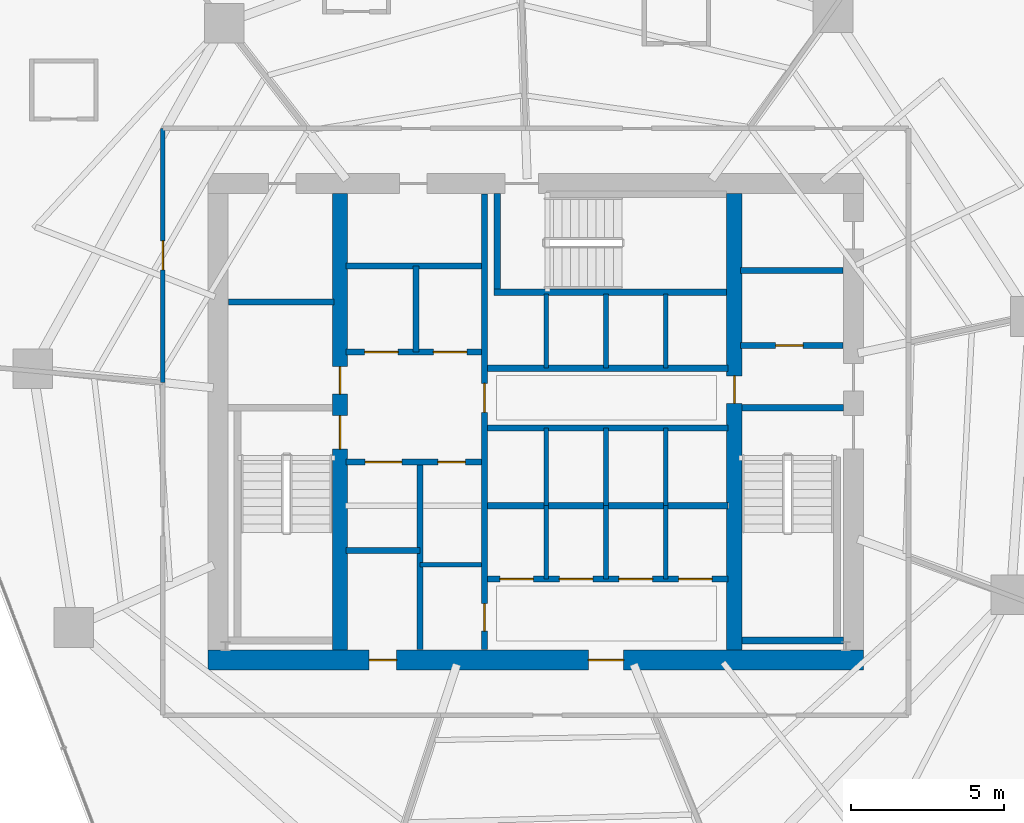
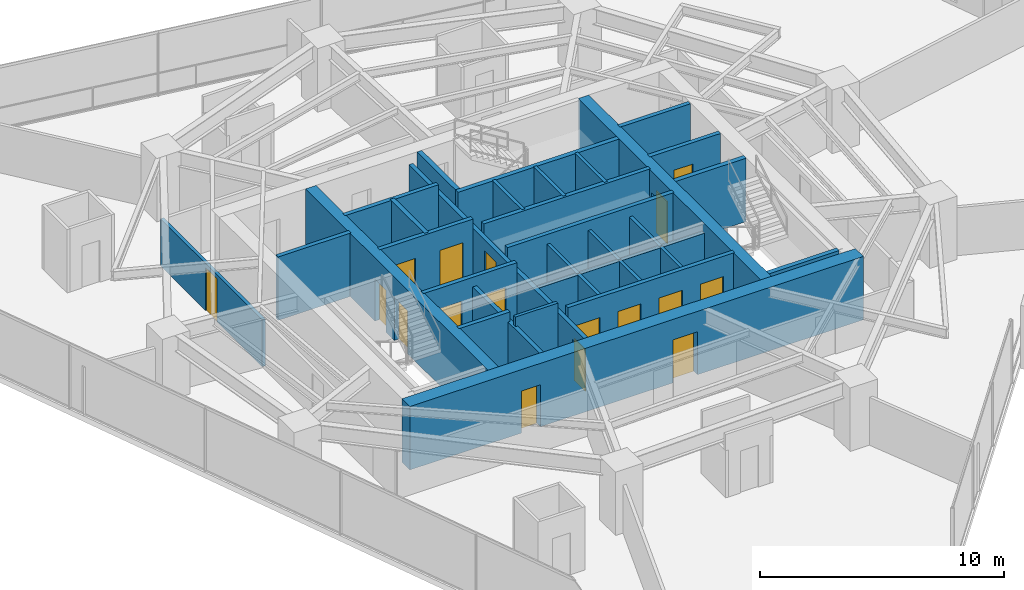
# One storey, part 25 of 31: 32 walls, 17 doors, 17 openings.
"""IFC4 building model written with IfcOpenShell, lengths in metres."""

from ifc_helpers import new_model, si_unit, direction, frame, frame_2d, origin, place, context, subcontext, project, spatial, rectangle, extrude, material, layer, layer_set, type_object, element, fill, save


model = new_model("IFC4")

# Units and contexts
model_context = context("Model", 3, precision=1e-05, world=origin(), true_north=direction((0.0, 1.0)))
body_context = subcontext(model_context, "Body", "Model", "MODEL_VIEW")
ifc_project = project(units=[si_unit("LENGTHUNIT", "METRE"), si_unit("AREAUNIT", "SQUARE_METRE"), si_unit("VOLUMEUNIT", "CUBIC_METRE"), si_unit("PLANEANGLEUNIT", "RADIAN"), si_unit("MASSUNIT", "GRAM", prefix="KILO")], contexts=[model_context])

# Site, building, storey
site_placement = place(None, origin())
site = spatial("IfcSite", under=ifc_project, at=site_placement, CompositionType="ELEMENT")
building_placement = place(site_placement, origin())
building = spatial("IfcBuilding", under=site, at=building_placement, Name="Qarnah Convention Tower", CompositionType="ELEMENT")
storey_placement = place(building_placement, frame((0.0, 0.0, 33.89990234375)))
storey = spatial("IfcBuildingStorey", under=building, at=storey_placement, Name="L07", CompositionType="ELEMENT", Elevation=33.89990234375)

# Wall, openings, doors
ifc_material_1 = material(Name="Concrete C60/75", Category="concrete")
ifc_layer_1 = layer(ifc_material_1, 0.64990234375)
ifc_layer_set_1 = layer_set([ifc_layer_1], Name="Concrete C60/75")
wall_type_1 = type_object("IfcWallType", Name="WL-CORE-650", PredefinedType="SHEAR", material=ifc_layer_set_1)
wall_1_placement = place(storey_placement, frame((26.47509765625, 18.60009765625, 0.0), z_axis=(0.0, 0.0, 1.0), x_axis=(1.0, 0.0, 0.0)))
wall_1 = element("IfcWall", 1, at=wall_1_placement, inside=storey, type_object=wall_type_1, Name="L07 core south shear wall", PredefinedType="SHEAR", context=body_context, shape_type="SweptSolid", body=[
    extrude(rectangle(XDim=21.449951171875, YDim=0.64990234375, at=frame_2d((10.72509765625, 0.0))), origin(), (0.0, 0.0, 1.0), 3.170166015625),
])
opening_1_placement = place(wall_1_placement, frame((12.449951171875, 0.0, 0.0)))
opening_1 = element("IfcOpeningElement", 2, at=opening_1_placement, cuts=wall_1, Name="Opening D-0707", PredefinedType="OPENING", context=body_context, shape_type="SweptSolid", body=[
    extrude(rectangle(XDim=1.14990234375, YDim=2.14990234375, at=frame_2d((0.574951171875, 1.074951171875))), frame((0.0, 0.3349609375, 0.0), z_axis=(0.0, -1.0, 0.0), x_axis=(1.0, 0.0, 0.0)), (0.0, 0.0, 1.0), 0.669921875),
])
opening_2_placement = place(wall_1_placement, frame((5.27490234375, 0.0, 0.0)))
opening_2 = element("IfcOpeningElement", 3, at=opening_2_placement, cuts=wall_1, Name="Opening D-0713", PredefinedType="OPENING", context=body_context, shape_type="SweptSolid", body=[
    extrude(rectangle(XDim=0.89990234375, YDim=2.10009765625, at=frame_2d((0.449951171875, 1.050048828125))), frame((0.0, 0.3349609375, 0.0), z_axis=(0.0, -1.0, 0.0), x_axis=(1.0, 0.0, 0.0)), (0.0, 0.0, 1.0), 0.669921875),
])
ifc_material_2 = material(Name="Structural steel S355JR", Category="steel")
door_type_1 = type_object("IfcDoorType", Name="DT-LOBBY-1150", OperationType="NOTDEFINED", PredefinedType="DOOR", material=ifc_material_2)
door_1_placement = place(opening_1_placement, origin())
door_1 = element("IfcDoor", 4, at=door_1_placement, inside=storey, type_object=door_type_1, Name="Door D-0707", OperationType="SINGLE_SWING_LEFT", OverallHeight=2.14990234375, OverallWidth=1.14990234375, PredefinedType="DOOR", context=body_context, shape_type="SweptSolid", body=[
    extrude(rectangle(XDim=1.14990234375, YDim=2.14990234375, at=frame_2d((0.574951171875, 1.074951171875))), frame((0.0, 0.02490234375, 0.0), z_axis=(0.0, -1.0, 0.0), x_axis=(1.0, 0.0, 0.0)), (0.0, 0.0, 1.0), 0.050048828125),
])
fill(opening_1, door_1)
door_type_2 = type_object("IfcDoorType", Name="DT-RISER-900", OperationType="NOTDEFINED", PredefinedType="DOOR", material=ifc_material_2)
door_2_placement = place(opening_2_placement, origin())
door_2 = element("IfcDoor", 5, at=door_2_placement, inside=storey, type_object=door_type_2, Name="Door D-0713", OperationType="SINGLE_SWING_LEFT", OverallHeight=2.10009765625, OverallWidth=0.89990234375, PredefinedType="DOOR", context=body_context, shape_type="SweptSolid", body=[
    extrude(rectangle(XDim=0.89990234375, YDim=2.10009765625, at=frame_2d((0.449951171875, 1.050048828125))), frame((0.0, 0.02490234375, 0.0), z_axis=(0.0, -1.0, 0.0), x_axis=(1.0, 0.0, 0.0)), (0.0, 0.0, 1.0), 0.050048828125),
])
fill(opening_2, door_2)

ifc_layer_2 = layer(ifc_material_1, 0.5)
ifc_layer_set_2 = layer_set([ifc_layer_2], Name="Concrete C60/75")
wall_type_2 = type_object("IfcWallType", Name="WL-CORE-INT-400", PredefinedType="SHEAR", material=ifc_layer_set_2)
wall_2_placement = place(storey_placement, frame((30.800048828125, 18.925048828125, 0.0), z_axis=(0.0, 0.0, 1.0), x_axis=(0.0, 1.0, 0.0)))
wall_2 = element("IfcWall", 6, at=wall_2_placement, inside=storey, type_object=wall_type_2, Name="L07 core west spine shear wall", PredefinedType="SHEAR", context=body_context, shape_type="SweptSolid", body=[
    extrude(rectangle(XDim=14.949951171875, YDim=0.5, at=frame_2d((7.47509765625, 0.0))), origin(), (0.0, 0.0, 1.0), 3.170166015625),
])
opening_3_placement = place(wall_2_placement, frame((6.574951171875, 0.0, 0.0)))
opening_3 = element("IfcOpeningElement", 7, at=opening_3_placement, cuts=wall_2, Name="Opening D-0701", PredefinedType="OPENING", context=body_context, shape_type="SweptSolid", body=[
    extrude(rectangle(XDim=1.10009765625, YDim=2.14990234375, at=frame_2d((0.550048828125, 1.074951171875))), frame((0.0, 0.260009765625, 0.0), z_axis=(0.0, -1.0, 0.0), x_axis=(1.0, 0.0, 0.0)), (0.0, 0.0, 1.0), 0.52001953125),
])
opening_4_placement = place(wall_2_placement, frame((8.375, 0.0, 0.0)))
opening_4 = element("IfcOpeningElement", 8, at=opening_4_placement, cuts=wall_2, Name="Opening D-0708", PredefinedType="OPENING", context=body_context, shape_type="SweptSolid", body=[
    extrude(rectangle(XDim=0.89990234375, YDim=2.10009765625, at=frame_2d((0.449951171875, 1.050048828125))), frame((0.0, 0.260009765625, 0.0), z_axis=(0.0, -1.0, 0.0), x_axis=(1.0, 0.0, 0.0)), (0.0, 0.0, 1.0), 0.52001953125),
])
door_3_placement = place(opening_4_placement, origin())
door_3 = element("IfcDoor", 9, at=door_3_placement, inside=storey, type_object=door_type_2, Name="Door D-0708", OperationType="SINGLE_SWING_RIGHT", OverallHeight=2.10009765625, OverallWidth=0.89990234375, PredefinedType="DOOR", context=body_context, shape_type="SweptSolid", body=[
    extrude(rectangle(XDim=0.89990234375, YDim=2.10009765625, at=frame_2d((0.449951171875, 1.050048828125))), frame((0.0, 0.02490234375, 0.0), z_axis=(0.0, -1.0, 0.0), x_axis=(1.0, 0.0, 0.0)), (0.0, 0.0, 1.0), 0.050048828125),
])
fill(opening_4, door_3)
door_type_3 = type_object("IfcDoorType", Name="DT-STAIR-1100", OperationType="NOTDEFINED", PredefinedType="DOOR", material=ifc_material_2)
door_4_placement = place(opening_3_placement, origin())
door_4 = element("IfcDoor", 10, at=door_4_placement, inside=storey, type_object=door_type_3, Name="Door D-0701", OperationType="SINGLE_SWING_LEFT", OverallHeight=2.14990234375, OverallWidth=1.10009765625, PredefinedType="DOOR", context=body_context, shape_type="SweptSolid", body=[
    extrude(rectangle(XDim=1.10009765625, YDim=2.14990234375, at=frame_2d((0.550048828125, 1.074951171875))), frame((0.0, 0.02490234375, 0.0), z_axis=(0.0, -1.0, 0.0), x_axis=(1.0, 0.0, 0.0)), (0.0, 0.0, 1.0), 0.050048828125),
])
fill(opening_3, door_4)

# Wall, opening, door
wall_3_placement = place(storey_placement, frame((43.699951171875, 18.925048828125, 0.0), z_axis=(0.0, 0.0, 1.0), x_axis=(0.0, 1.0, 0.0)))
wall_3 = element("IfcWall", 11, at=wall_3_placement, inside=storey, type_object=wall_type_2, Name="L07 core east spine shear wall", PredefinedType="SHEAR", context=body_context, shape_type="SweptSolid", body=[
    extrude(rectangle(XDim=14.949951171875, YDim=0.5, at=frame_2d((7.47509765625, 0.0))), origin(), (0.0, 0.0, 1.0), 3.170166015625),
])
opening_5_placement = place(wall_3_placement, frame((8.074951171875, 0.0, 0.0)))
opening_5 = element("IfcOpeningElement", 12, at=opening_5_placement, cuts=wall_3, Name="Opening D-0705", PredefinedType="OPENING", context=body_context, shape_type="SweptSolid", body=[
    extrude(rectangle(XDim=0.89990234375, YDim=2.10009765625, at=frame_2d((0.449951171875, 1.050048828125))), frame((0.0, 0.260009765625, 0.0), z_axis=(0.0, -1.0, 0.0), x_axis=(1.0, 0.0, 0.0)), (0.0, 0.0, 1.0), 0.52001953125),
])
door_5_placement = place(opening_5_placement, origin())
door_5 = element("IfcDoor", 13, at=door_5_placement, inside=storey, type_object=door_type_2, Name="Door D-0705", OperationType="SINGLE_SWING_LEFT", OverallHeight=2.10009765625, OverallWidth=0.89990234375, PredefinedType="DOOR", context=body_context, shape_type="SweptSolid", body=[
    extrude(rectangle(XDim=0.89990234375, YDim=2.10009765625, at=frame_2d((0.449951171875, 1.050048828125))), frame((0.0, 0.02490234375, 0.0), z_axis=(0.0, -1.0, 0.0), x_axis=(1.0, 0.0, 0.0)), (0.0, 0.0, 1.0), 0.050048828125),
])
fill(opening_5, door_5)

# Wall
ifc_material_3 = material(Name="Concrete C45/55", Category="concrete")
ifc_layer_3 = layer(ifc_material_3, 0.199951171875)
ifc_layer_set_3 = layer_set([ifc_layer_3], Name="Concrete C45/55")
wall_type_3 = type_object("IfcWallType", Name="WL-CORE-PART-200", PredefinedType="SOLIDWALL", material=ifc_layer_set_3)
wall_4_placement = place(storey_placement, frame((27.14990234375, 30.320068359375, 0.0), z_axis=(0.0, 0.0, 1.0), x_axis=(1.0, 0.0, 0.0)))
element("IfcWall", 14, at=wall_4_placement, inside=storey, type_object=wall_type_3, Name="L07 interior wall IW-L07-ELRN", PredefinedType="SOLIDWALL", context=body_context, shape_type="SweptSolid", body=[
    extrude(rectangle(XDim=3.4501953125, YDim=0.199951171875, at=frame_2d((1.72509765625, 0.0))), origin(), (0.0, 0.0, 1.0), 3.170166015625),
])

# Wall, opening, door
wall_5_placement = place(storey_placement, frame((43.89990234375, 28.89990234375, 0.0), z_axis=(0.0, 0.0, 1.0), x_axis=(1.0, 0.0, 0.0)))
wall_5 = element("IfcWall", 15, at=wall_5_placement, inside=storey, type_object=wall_type_3, Name="L07 interior wall IW-L07-EVSTN", PredefinedType="SOLIDWALL", context=body_context, shape_type="SweptSolid", body=[
    extrude(rectangle(XDim=3.35009765625, YDim=0.199951171875, at=frame_2d((1.675048828125, 0.0))), origin(), (0.0, 0.0, 1.0), 3.170166015625),
])
opening_6_placement = place(wall_5_placement, frame((1.14990234375, 0.0, 0.0)))
opening_6 = element("IfcOpeningElement", 16, at=opening_6_placement, cuts=wall_5, Name="Opening D-0711", PredefinedType="OPENING", context=body_context, shape_type="SweptSolid", body=[
    extrude(rectangle(XDim=0.89990234375, YDim=2.10009765625, at=frame_2d((0.449951171875, 1.050048828125))), frame((0.0, 0.10986328125, 0.0), z_axis=(0.0, -1.0, 0.0), x_axis=(1.0, 0.0, 0.0)), (0.0, 0.0, 1.0), 0.219970703125),
])
door_6_placement = place(opening_6_placement, origin())
door_6 = element("IfcDoor", 17, at=door_6_placement, inside=storey, type_object=door_type_2, Name="Door D-0711", OperationType="SINGLE_SWING_LEFT", OverallHeight=2.10009765625, OverallWidth=0.89990234375, PredefinedType="DOOR", context=body_context, shape_type="SweptSolid", body=[
    extrude(rectangle(XDim=0.89990234375, YDim=2.10009765625, at=frame_2d((0.449951171875, 1.050048828125))), frame((0.0, 0.02490234375, 0.0), z_axis=(0.0, -1.0, 0.0), x_axis=(1.0, 0.0, 0.0)), (0.0, 0.0, 1.0), 0.050048828125),
])
fill(opening_6, door_6)

# Wall
wall_6_placement = place(storey_placement, frame((43.89990234375, 31.35009765625, 0.0), z_axis=(0.0, 0.0, 1.0), x_axis=(1.0, 0.0, 0.0)))
element("IfcWall", 18, at=wall_6_placement, inside=storey, type_object=wall_type_3, Name="L07 interior wall IW-L07-WTRN", PredefinedType="SOLIDWALL", context=body_context, shape_type="SweptSolid", body=[
    extrude(rectangle(XDim=3.35009765625, YDim=0.199951171875, at=frame_2d((1.675048828125, 0.0))), origin(), (0.0, 0.0, 1.0), 3.170166015625),
])

# Wall, openings, doors
wall_7_placement = place(storey_placement, frame((35.52001953125, 18.949951171875, 0.0), z_axis=(0.0, 0.0, 1.0), x_axis=(0.0, 1.0, 0.0)))
wall_7 = element("IfcWall", 19, at=wall_7_placement, inside=storey, type_object=wall_type_3, Name="L07 interior wall IW-L07-CSP", PredefinedType="SOLIDWALL", context=body_context, shape_type="SweptSolid", body=[
    extrude(rectangle(XDim=14.900146484375, YDim=0.199951171875, at=frame_2d((7.4501953125, 0.0))), origin(), (0.0, 0.0, 1.0), 2.691162109375),
])
opening_7_placement = place(wall_7_placement, frame((7.7548828125, 0.0, 0.0)))
opening_7 = element("IfcOpeningElement", 20, at=opening_7_placement, cuts=wall_7, Name="Opening D-0704", PredefinedType="OPENING", context=body_context, shape_type="SweptSolid", body=[
    extrude(rectangle(XDim=0.949951171875, YDim=2.14990234375, at=frame_2d((0.47509765625, 1.074951171875))), frame((0.0, 0.10986328125, 0.0), z_axis=(0.0, -1.0, 0.0), x_axis=(1.0, 0.0, 0.0)), (0.0, 0.0, 1.0), 0.219970703125),
])
opening_8_placement = place(wall_7_placement, frame((0.60009765625, 0.0, 0.0)))
opening_8 = element("IfcOpeningElement", 21, at=opening_8_placement, cuts=wall_7, Name="Opening D-0714", PredefinedType="OPENING", context=body_context, shape_type="SweptSolid", body=[
    extrude(rectangle(XDim=0.89990234375, YDim=2.10009765625, at=frame_2d((0.449951171875, 1.050048828125))), frame((0.0, 0.10986328125, 0.0), z_axis=(0.0, -1.0, 0.0), x_axis=(1.0, 0.0, 0.0)), (0.0, 0.0, 1.0), 0.219970703125),
])
ifc_material_4 = material(Name="Oak timber veneer", Category="wood")
door_type_4 = type_object("IfcDoorType", Name="DT-HOTEL-950", OperationType="NOTDEFINED", PredefinedType="DOOR", material=ifc_material_4)
door_7_placement = place(opening_7_placement, origin())
door_7 = element("IfcDoor", 22, at=door_7_placement, inside=storey, type_object=door_type_4, Name="Door D-0704", OperationType="SINGLE_SWING_RIGHT", OverallHeight=2.14990234375, OverallWidth=0.949951171875, PredefinedType="DOOR", context=body_context, shape_type="SweptSolid", body=[
    extrude(rectangle(XDim=0.949951171875, YDim=2.14990234375, at=frame_2d((0.47509765625, 1.074951171875))), frame((0.0, 0.02490234375, 0.0), z_axis=(0.0, -1.0, 0.0), x_axis=(1.0, 0.0, 0.0)), (0.0, 0.0, 1.0), 0.050048828125),
])
fill(opening_7, door_7)
door_8_placement = place(opening_8_placement, origin())
door_8 = element("IfcDoor", 23, at=door_8_placement, inside=storey, type_object=door_type_2, Name="Door D-0714", OperationType="SINGLE_SWING_RIGHT", OverallHeight=2.10009765625, OverallWidth=0.89990234375, PredefinedType="DOOR", context=body_context, shape_type="SweptSolid", body=[
    extrude(rectangle(XDim=0.89990234375, YDim=2.10009765625, at=frame_2d((0.449951171875, 1.050048828125))), frame((0.0, 0.02490234375, 0.0), z_axis=(0.0, -1.0, 0.0), x_axis=(1.0, 0.0, 0.0)), (0.0, 0.0, 1.0), 0.050048828125),
])
fill(opening_8, door_8)

wall_8_placement = place(storey_placement, frame((31.0, 28.679931640625, 0.0), z_axis=(0.0, 0.0, 1.0), x_axis=(1.0, 0.0, 0.0)))
wall_8 = element("IfcWall", 24, at=wall_8_placement, inside=storey, type_object=wall_type_3, Name="L07 interior wall IW-L07-FFLS", PredefinedType="SOLIDWALL", context=body_context, shape_type="SweptSolid", body=[
    extrude(rectangle(XDim=4.419921875, YDim=0.199951171875, at=frame_2d((2.2099609375, 0.0))), origin(), (0.0, 0.0, 1.0), 3.170166015625),
])
opening_9_placement = place(wall_8_placement, frame((0.60009765625, 0.0, 0.0)))
opening_9 = element("IfcOpeningElement", 25, at=opening_9_placement, cuts=wall_8, Name="Opening LD-0701", PredefinedType="OPENING", context=body_context, shape_type="SweptSolid", body=[
    extrude(rectangle(XDim=1.10009765625, YDim=2.14990234375, at=frame_2d((0.550048828125, 1.074951171875))), frame((0.0, 0.10986328125, 0.0), z_axis=(0.0, -1.0, 0.0), x_axis=(1.0, 0.0, 0.0)), (0.0, 0.0, 1.0), 0.219970703125),
])
opening_10_placement = place(wall_8_placement, frame((2.85009765625, 0.0, 0.0)))
opening_10 = element("IfcOpeningElement", 26, at=opening_10_placement, cuts=wall_8, Name="Opening LD-0702", PredefinedType="OPENING", context=body_context, shape_type="SweptSolid", body=[
    extrude(rectangle(XDim=1.10009765625, YDim=2.14990234375, at=frame_2d((0.550048828125, 1.074951171875))), frame((0.0, 0.10986328125, 0.0), z_axis=(0.0, -1.0, 0.0), x_axis=(1.0, 0.0, 0.0)), (0.0, 0.0, 1.0), 0.219970703125),
])
door_type_5 = type_object("IfcDoorType", Name="DT-LIFT-1100", OperationType="SLIDING_TO_LEFT", PredefinedType="DOOR", material=ifc_material_2)
door_9_placement = place(opening_9_placement, origin())
door_9 = element("IfcDoor", 27, at=door_9_placement, inside=storey, type_object=door_type_5, Name="Door LD-0701", OperationType="SLIDING_TO_LEFT", OverallHeight=2.14990234375, OverallWidth=1.10009765625, PredefinedType="DOOR", context=body_context, shape_type="SweptSolid", body=[
    extrude(rectangle(XDim=1.10009765625, YDim=2.14990234375, at=frame_2d((0.550048828125, 1.074951171875))), frame((0.0, 0.02490234375, 0.0), z_axis=(0.0, -1.0, 0.0), x_axis=(1.0, 0.0, 0.0)), (0.0, 0.0, 1.0), 0.050048828125),
])
fill(opening_9, door_9)
door_10_placement = place(opening_10_placement, origin())
door_10 = element("IfcDoor", 28, at=door_10_placement, inside=storey, type_object=door_type_5, Name="Door LD-0702", OperationType="SLIDING_TO_LEFT", OverallHeight=2.14990234375, OverallWidth=1.10009765625, PredefinedType="DOOR", context=body_context, shape_type="SweptSolid", body=[
    extrude(rectangle(XDim=1.10009765625, YDim=2.14990234375, at=frame_2d((0.550048828125, 1.074951171875))), frame((0.0, 0.02490234375, 0.0), z_axis=(0.0, -1.0, 0.0), x_axis=(1.0, 0.0, 0.0)), (0.0, 0.0, 1.0), 0.050048828125),
])
fill(opening_10, door_10)

# Walls
wall_9_placement = place(storey_placement, frame((31.0, 31.5, 0.0), z_axis=(0.0, 0.0, 1.0), x_axis=(1.0, 0.0, 0.0)))
element("IfcWall", 29, at=wall_9_placement, inside=storey, type_object=wall_type_3, Name="L07 interior wall IW-L07-FFLN", PredefinedType="SOLIDWALL", context=body_context, shape_type="SweptSolid", body=[
    extrude(rectangle(XDim=4.419921875, YDim=0.199951171875, at=frame_2d((2.2099609375, 0.0))), origin(), (0.0, 0.0, 1.0), 3.170166015625),
])
wall_10_placement = place(storey_placement, frame((33.280029296875, 28.679931640625, 0.0), z_axis=(0.0, 0.0, 1.0), x_axis=(0.0, 1.0, 0.0)))
element("IfcWall", 30, at=wall_10_placement, inside=storey, type_object=wall_type_3, Name="L07 interior wall IW-L07-FFLM", PredefinedType="SOLIDWALL", context=body_context, shape_type="SweptSolid", body=[
    extrude(rectangle(XDim=2.820068359375, YDim=0.199951171875, at=frame_2d((1.41015625, 0.0))), origin(), (0.0, 0.0, 1.0), 3.170166015625),
])

# Wall, openings, doors
wall_11_placement = place(storey_placement, frame((31.0, 25.080078125, 0.0), z_axis=(0.0, 0.0, 1.0), x_axis=(1.0, 0.0, 0.0)))
wall_11 = element("IfcWall", 31, at=wall_11_placement, inside=storey, type_object=wall_type_3, Name="L07 interior wall IW-L07-FFLBS", PredefinedType="SOLIDWALL", context=body_context, shape_type="SweptSolid", body=[
    extrude(rectangle(XDim=4.419921875, YDim=0.199951171875, at=frame_2d((2.2099609375, 0.0))), origin(), (0.0, 0.0, 1.0), 3.170166015625),
])
opening_11_placement = place(wall_11_placement, frame((3.0, 0.0, 0.0)))
opening_11 = element("IfcOpeningElement", 32, at=opening_11_placement, cuts=wall_11, Name="Opening D-0715", PredefinedType="OPENING", context=body_context, shape_type="SweptSolid", body=[
    extrude(rectangle(XDim=0.89990234375, YDim=2.10009765625, at=frame_2d((0.449951171875, 1.050048828125))), frame((0.0, 0.10986328125, 0.0), z_axis=(0.0, -1.0, 0.0), x_axis=(1.0, 0.0, 0.0)), (0.0, 0.0, 1.0), 0.219970703125),
])
opening_12_placement = place(wall_11_placement, frame((0.6201171875, 0.0, 0.0)))
opening_12 = element("IfcOpeningElement", 33, at=opening_12_placement, cuts=wall_11, Name="Opening LD-0703", PredefinedType="OPENING", context=body_context, shape_type="SweptSolid", body=[
    extrude(rectangle(XDim=1.199951171875, YDim=2.14990234375, at=frame_2d((0.60009765625, 1.074951171875))), frame((0.0, 0.10986328125, 0.0), z_axis=(0.0, -1.0, 0.0), x_axis=(1.0, 0.0, 0.0)), (0.0, 0.0, 1.0), 0.219970703125),
])
door_type_6 = type_object("IfcDoorType", Name="DT-LIFT-1200", OperationType="SLIDING_TO_LEFT", PredefinedType="DOOR", material=ifc_material_2)
door_11_placement = place(opening_12_placement, origin())
door_11 = element("IfcDoor", 34, at=door_11_placement, inside=storey, type_object=door_type_6, Name="Door LD-0703", OperationType="SLIDING_TO_LEFT", OverallHeight=2.14990234375, OverallWidth=1.199951171875, PredefinedType="DOOR", context=body_context, shape_type="SweptSolid", body=[
    extrude(rectangle(XDim=1.199951171875, YDim=2.14990234375, at=frame_2d((0.60009765625, 1.074951171875))), frame((0.0, 0.02490234375, 0.0), z_axis=(0.0, -1.0, 0.0), x_axis=(1.0, 0.0, 0.0)), (0.0, 0.0, 1.0), 0.050048828125),
])
fill(opening_12, door_11)
door_12_placement = place(opening_11_placement, origin())
door_12 = element("IfcDoor", 35, at=door_12_placement, inside=storey, type_object=door_type_2, Name="Door D-0715", OperationType="SINGLE_SWING_LEFT", OverallHeight=2.10009765625, OverallWidth=0.89990234375, PredefinedType="DOOR", context=body_context, shape_type="SweptSolid", body=[
    extrude(rectangle(XDim=0.89990234375, YDim=2.10009765625, at=frame_2d((0.449951171875, 1.050048828125))), frame((0.0, 0.02490234375, 0.0), z_axis=(0.0, -1.0, 0.0), x_axis=(1.0, 0.0, 0.0)), (0.0, 0.0, 1.0), 0.050048828125),
])
fill(opening_11, door_12)

# Walls
wall_12_placement = place(storey_placement, frame((33.419921875, 18.949951171875, 0.0), z_axis=(0.0, 0.0, 1.0), x_axis=(0.0, 1.0, 0.0)))
element("IfcWall", 36, at=wall_12_placement, inside=storey, type_object=wall_type_3, Name="L07 interior wall IW-L07-SVLE", PredefinedType="SOLIDWALL", context=body_context, shape_type="SweptSolid", body=[
    extrude(rectangle(XDim=6.130126953125, YDim=0.199951171875, at=frame_2d((3.06494140625, 0.0))), origin(), (0.0, 0.0, 1.0), 2.691162109375),
])
wall_13_placement = place(storey_placement, frame((31.0, 22.179931640625, 0.0), z_axis=(0.0, 0.0, 1.0), x_axis=(1.0, 0.0, 0.0)))
element("IfcWall", 37, at=wall_13_placement, inside=storey, type_object=wall_type_3, Name="L07 interior wall IW-L07-SVLS", PredefinedType="SOLIDWALL", context=body_context, shape_type="SweptSolid", body=[
    extrude(rectangle(XDim=2.419921875, YDim=0.199951171875, at=frame_2d((1.2099609375, 0.0))), origin(), (0.0, 0.0, 1.0), 3.170166015625),
])
for number, where, z_axis, x_axis, name in (
    (38, (35.6201171875, 28.14990234375, 0.0), (0.0, 0.0, 1.0), (1.0, 0.0, 0.0), "L07 interior wall IW-L07-PHS"),
    (39, (35.6201171875, 26.199951171875, 0.0), (0.0, 0.0, 1.0), (1.0, 0.0, 0.0), "L07 interior wall IW-L07-PMN"),
):
    element("IfcWall", number, at=place(storey_placement, frame(where, z_axis=z_axis, x_axis=x_axis)), inside=storey, type_object=wall_type_3, Name=name, PredefinedType="SOLIDWALL", context=body_context, shape_type="SweptSolid", body=[
        extrude(rectangle(XDim=7.8798828125, YDim=0.199951171875, at=frame_2d((3.93994140625, 0.0))), origin(), (0.0, 0.0, 1.0), 3.170166015625),
    ])
wall_14_placement = place(storey_placement, frame((35.6201171875, 23.64990234375, 0.0), z_axis=(0.0, 0.0, 1.0), x_axis=(1.0, 0.0, 0.0)))
element("IfcWall", 40, at=wall_14_placement, inside=storey, type_object=wall_type_3, Name="L07 interior wall IW-L07-PMPL", PredefinedType="SOLIDWALL", context=body_context, shape_type="SweptSolid", body=[
    extrude(rectangle(XDim=7.8798828125, YDim=0.199951171875, at=frame_2d((3.93994140625, 0.0))), origin(), (0.0, 0.0, 1.0), 2.691162109375),
])

# Wall, openings, doors
wall_15_placement = place(storey_placement, frame((35.6201171875, 21.25, 0.0), z_axis=(0.0, 0.0, 1.0), x_axis=(1.0, 0.0, 0.0)))
wall_15 = element("IfcWall", 41, at=wall_15_placement, inside=storey, type_object=wall_type_3, Name="L07 interior wall IW-L07-PLS", PredefinedType="SOLIDWALL", context=body_context, shape_type="SweptSolid", body=[
    extrude(rectangle(XDim=7.8798828125, YDim=0.199951171875, at=frame_2d((3.93994140625, 0.0))), origin(), (0.0, 0.0, 1.0), 3.170166015625),
])
opening_13_placement = place(wall_15_placement, frame((0.405029296875, 0.0, 0.0)))
opening_13 = element("IfcOpeningElement", 42, at=opening_13_placement, cuts=wall_15, Name="Opening LD-0704", PredefinedType="OPENING", context=body_context, shape_type="SweptSolid", body=[
    extrude(rectangle(XDim=1.10009765625, YDim=2.14990234375, at=frame_2d((0.550048828125, 1.074951171875))), frame((0.0, 0.10986328125, 0.0), z_axis=(0.0, -1.0, 0.0), x_axis=(1.0, 0.0, 0.0)), (0.0, 0.0, 1.0), 0.219970703125),
])
opening_14_placement = place(wall_15_placement, frame((2.35498046875, 0.0, 0.0)))
opening_14 = element("IfcOpeningElement", 43, at=opening_14_placement, cuts=wall_15, Name="Opening LD-0705", PredefinedType="OPENING", context=body_context, shape_type="SweptSolid", body=[
    extrude(rectangle(XDim=1.10009765625, YDim=2.14990234375, at=frame_2d((0.550048828125, 1.074951171875))), frame((0.0, 0.10986328125, 0.0), z_axis=(0.0, -1.0, 0.0), x_axis=(1.0, 0.0, 0.0)), (0.0, 0.0, 1.0), 0.219970703125),
])
opening_15_placement = place(wall_15_placement, frame((4.304931640625, 0.0, 0.0)))
opening_15 = element("IfcOpeningElement", 44, at=opening_15_placement, cuts=wall_15, Name="Opening LD-0706", PredefinedType="OPENING", context=body_context, shape_type="SweptSolid", body=[
    extrude(rectangle(XDim=1.10009765625, YDim=2.14990234375, at=frame_2d((0.550048828125, 1.074951171875))), frame((0.0, 0.10986328125, 0.0), z_axis=(0.0, -1.0, 0.0), x_axis=(1.0, 0.0, 0.0)), (0.0, 0.0, 1.0), 0.219970703125),
])
opening_16_placement = place(wall_15_placement, frame((6.2548828125, 0.0, 0.0)))
opening_16 = element("IfcOpeningElement", 45, at=opening_16_placement, cuts=wall_15, Name="Opening LD-0707", PredefinedType="OPENING", context=body_context, shape_type="SweptSolid", body=[
    extrude(rectangle(XDim=1.10009765625, YDim=2.14990234375, at=frame_2d((0.550048828125, 1.074951171875))), frame((0.0, 0.10986328125, 0.0), z_axis=(0.0, -1.0, 0.0), x_axis=(1.0, 0.0, 0.0)), (0.0, 0.0, 1.0), 0.219970703125),
])
door_13_placement = place(opening_13_placement, origin())
door_13 = element("IfcDoor", 46, at=door_13_placement, inside=storey, type_object=door_type_5, Name="Door LD-0704", OperationType="SLIDING_TO_LEFT", OverallHeight=2.14990234375, OverallWidth=1.10009765625, PredefinedType="DOOR", context=body_context, shape_type="SweptSolid", body=[
    extrude(rectangle(XDim=1.10009765625, YDim=2.14990234375, at=frame_2d((0.550048828125, 1.074951171875))), frame((0.0, 0.02490234375, 0.0), z_axis=(0.0, -1.0, 0.0), x_axis=(1.0, 0.0, 0.0)), (0.0, 0.0, 1.0), 0.050048828125),
])
fill(opening_13, door_13)
door_14_placement = place(opening_14_placement, origin())
door_14 = element("IfcDoor", 47, at=door_14_placement, inside=storey, type_object=door_type_5, Name="Door LD-0705", OperationType="SLIDING_TO_LEFT", OverallHeight=2.14990234375, OverallWidth=1.10009765625, PredefinedType="DOOR", context=body_context, shape_type="SweptSolid", body=[
    extrude(rectangle(XDim=1.10009765625, YDim=2.14990234375, at=frame_2d((0.550048828125, 1.074951171875))), frame((0.0, 0.02490234375, 0.0), z_axis=(0.0, -1.0, 0.0), x_axis=(1.0, 0.0, 0.0)), (0.0, 0.0, 1.0), 0.050048828125),
])
fill(opening_14, door_14)
door_15_placement = place(opening_15_placement, origin())
door_15 = element("IfcDoor", 48, at=door_15_placement, inside=storey, type_object=door_type_5, Name="Door LD-0706", OperationType="SLIDING_TO_LEFT", OverallHeight=2.14990234375, OverallWidth=1.10009765625, PredefinedType="DOOR", context=body_context, shape_type="SweptSolid", body=[
    extrude(rectangle(XDim=1.10009765625, YDim=2.14990234375, at=frame_2d((0.550048828125, 1.074951171875))), frame((0.0, 0.02490234375, 0.0), z_axis=(0.0, -1.0, 0.0), x_axis=(1.0, 0.0, 0.0)), (0.0, 0.0, 1.0), 0.050048828125),
])
fill(opening_15, door_15)
door_16_placement = place(opening_16_placement, origin())
door_16 = element("IfcDoor", 49, at=door_16_placement, inside=storey, type_object=door_type_5, Name="Door LD-0707", OperationType="SLIDING_TO_LEFT", OverallHeight=2.14990234375, OverallWidth=1.10009765625, PredefinedType="DOOR", context=body_context, shape_type="SweptSolid", body=[
    extrude(rectangle(XDim=1.10009765625, YDim=2.14990234375, at=frame_2d((0.550048828125, 1.074951171875))), frame((0.0, 0.02490234375, 0.0), z_axis=(0.0, -1.0, 0.0), x_axis=(1.0, 0.0, 0.0)), (0.0, 0.0, 1.0), 0.050048828125),
])
fill(opening_16, door_16)

# Walls
ifc_layer_4 = layer(ifc_material_1, 0.219970703125)
ifc_layer_set_4 = layer_set([ifc_layer_4], Name="Concrete C60/75")
wall_type_4 = type_object("IfcWallType", Name="WL-CORE-STAIR-220", PredefinedType="SHEAR", material=ifc_layer_set_4)
for number, where, z_axis, x_axis, name in (
    (50, (43.949951171875, 26.860107421875, 0.0), (0.0, 0.0, 1.0), (1.0, 0.0, 0.0), "L07 stair shaft shear wall SW-L07-ST2N"),
    (51, (43.949951171875, 19.239990234375, 0.0), (0.0, 0.0, 1.0), (1.0, 0.0, 0.0), "L07 stair shaft shear wall SW-L07-ST2S"),
):
    element("IfcWall", number, at=place(storey_placement, frame(where, z_axis=z_axis, x_axis=x_axis)), inside=storey, type_object=wall_type_4, Name=name, PredefinedType="SHEAR", context=body_context, shape_type="SweptSolid", body=[
        extrude(rectangle(XDim=3.324951171875, YDim=0.219970703125, at=frame_2d((1.66259765625, 0.0))), origin(), (0.0, 0.0, 1.0), 3.170166015625),
    ])
wall_16_placement = place(storey_placement, frame((35.840087890625, 30.639892578125, 0.0), z_axis=(0.0, 0.0, 1.0), x_axis=(1.0, 0.0, 0.0)))
element("IfcWall", 52, at=wall_16_placement, inside=storey, type_object=wall_type_4, Name="L07 stair shaft shear wall SW-L07-ST3S", PredefinedType="SHEAR", context=body_context, shape_type="SweptSolid", body=[
    extrude(rectangle(XDim=7.60986328125, YDim=0.219970703125, at=frame_2d((3.804931640625, 0.0))), origin(), (0.0, 0.0, 1.0), 3.170166015625),
])
wall_17_placement = place(storey_placement, frame((35.93994140625, 30.75, 0.0), z_axis=(0.0, 0.0, 1.0), x_axis=(0.0, 1.0, 0.0)))
element("IfcWall", 53, at=wall_17_placement, inside=storey, type_object=wall_type_4, Name="L07 stair shaft shear wall SW-L07-ST3W", PredefinedType="SHEAR", context=body_context, shape_type="SweptSolid", body=[
    extrude(rectangle(XDim=3.125, YDim=0.219970703125, at=frame_2d((1.5625, 0.0))), origin(), (0.0, 0.0, 1.0), 3.170166015625),
])
ifc_material_5 = material(Name="Gypsum partition board")
ifc_layer_5 = layer(ifc_material_5, 0.14990234375)
ifc_layer_set_5 = layer_set([ifc_layer_5], Name="Gypsum partition board")
wall_type_5 = type_object("IfcWallType", Name="WL-SUITE-150", PredefinedType="PARTITIONING", material=ifc_layer_set_5)
wall_18_placement = place(storey_placement, frame((33.419921875, 21.719970703125, 0.0), z_axis=(0.0, 0.0, 1.0), x_axis=(1.0, 0.0, 0.0)))
element("IfcWall", 54, at=wall_18_placement, inside=storey, type_object=wall_type_5, Name="L07 interior wall IW-L07-CSV1", PredefinedType="PARTITIONING", context=body_context, shape_type="SweptSolid", body=[
    extrude(rectangle(XDim=2.0, YDim=0.14990234375, at=frame_2d((1.0, 0.0))), origin(), (0.0, 0.0, 1.0), 3.170166015625),
])
for number, where, z_axis, x_axis, name in (
    (55, (37.550048828125, 28.14990234375, 0.0), (0.0, 0.0, 1.0), (0.0, 1.0, 0.0), "L07 interior wall IW-L07-PHD1"),
    (56, (39.5, 28.14990234375, 0.0), (0.0, 0.0, 1.0), (0.0, 1.0, 0.0), "L07 interior wall IW-L07-PHD2"),
    (57, (41.449951171875, 28.14990234375, 0.0), (0.0, 0.0, 1.0), (0.0, 1.0, 0.0), "L07 interior wall IW-L07-PHD3"),
):
    element("IfcWall", number, at=place(storey_placement, frame(where, z_axis=z_axis, x_axis=x_axis)), inside=storey, type_object=wall_type_5, Name=name, PredefinedType="PARTITIONING", context=body_context, shape_type="SweptSolid", body=[
        extrude(rectangle(XDim=2.43017578125, YDim=0.14990234375, at=frame_2d((1.215087890625, 0.0))), origin(), (0.0, 0.0, 1.0), 3.170166015625),
    ])
for number, where, z_axis, x_axis, name in (
    (58, (37.550048828125, 23.64990234375, 0.0), (0.0, 0.0, 1.0), (0.0, 1.0, 0.0), "L07 interior wall IW-L07-PMD1"),
    (59, (39.5, 23.64990234375, 0.0), (0.0, 0.0, 1.0), (0.0, 1.0, 0.0), "L07 interior wall IW-L07-PMD2"),
    (60, (41.449951171875, 23.64990234375, 0.0), (0.0, 0.0, 1.0), (0.0, 1.0, 0.0), "L07 interior wall IW-L07-PMD3"),
):
    element("IfcWall", number, at=place(storey_placement, frame(where, z_axis=z_axis, x_axis=x_axis)), inside=storey, type_object=wall_type_5, Name=name, PredefinedType="PARTITIONING", context=body_context, shape_type="SweptSolid", body=[
        extrude(rectangle(XDim=2.550048828125, YDim=0.14990234375, at=frame_2d((1.27490234375, 0.0))), origin(), (0.0, 0.0, 1.0), 2.691162109375),
    ])
for number, where, z_axis, x_axis, name in (
    (61, (37.550048828125, 21.25, 0.0), (0.0, 0.0, 1.0), (0.0, 1.0, 0.0), "L07 interior wall IW-L07-PLD1"),
    (62, (39.5, 21.25, 0.0), (0.0, 0.0, 1.0), (0.0, 1.0, 0.0), "L07 interior wall IW-L07-PLD2"),
    (63, (41.449951171875, 21.25, 0.0), (0.0, 0.0, 1.0), (0.0, 1.0, 0.0), "L07 interior wall IW-L07-PLD3"),
):
    element("IfcWall", number, at=place(storey_placement, frame(where, z_axis=z_axis, x_axis=x_axis)), inside=storey, type_object=wall_type_5, Name=name, PredefinedType="PARTITIONING", context=body_context, shape_type="SweptSolid", body=[
        extrude(rectangle(XDim=2.39990234375, YDim=0.14990234375, at=frame_2d((1.199951171875, 0.0))), origin(), (0.0, 0.0, 1.0), 2.691162109375),
    ])

# Wall, opening, door
wall_19_placement = place(storey_placement, frame((25.0, 27.681884765625, 0.0), z_axis=(0.0, 0.0, 1.0), x_axis=(0.0, 1.0, 0.0)))
wall_19 = element("IfcWall", 64, at=wall_19_placement, inside=storey, type_object=wall_type_5, Name="L07 interior wall IW-L07-R-31", PredefinedType="PARTITIONING", context=body_context, shape_type="SweptSolid", body=[
    extrude(rectangle(XDim=8.318115234375, YDim=0.14990234375, at=frame_2d((4.1591796875, 0.0))), origin(), (0.0, 0.0, 1.0), 2.35498046875),
])
opening_17_placement = place(wall_19_placement, frame((3.68408203125, 0.0, 0.0)))
opening_17 = element("IfcOpeningElement", 65, at=opening_17_placement, cuts=wall_19, Name="Opening D-0721", PredefinedType="OPENING", context=body_context, shape_type="SweptSolid", body=[
    extrude(rectangle(XDim=0.949951171875, YDim=2.14990234375, at=frame_2d((0.47509765625, 1.074951171875))), frame((0.0, 0.0849609375, 0.0), z_axis=(0.0, -1.0, 0.0), x_axis=(1.0, 0.0, 0.0)), (0.0, 0.0, 1.0), 0.169921875),
])
door_17_placement = place(opening_17_placement, origin())
door_17 = element("IfcDoor", 66, at=door_17_placement, inside=storey, type_object=door_type_4, Name="Door D-0721", OperationType="SINGLE_SWING_LEFT", OverallHeight=2.14990234375, OverallWidth=0.949951171875, PredefinedType="DOOR", context=body_context, shape_type="SweptSolid", body=[
    extrude(rectangle(XDim=0.949951171875, YDim=2.14990234375, at=frame_2d((0.47509765625, 1.074951171875))), frame((0.0, 0.02490234375, 0.0), z_axis=(0.0, -1.0, 0.0), x_axis=(1.0, 0.0, 0.0)), (0.0, 0.0, 1.0), 0.050048828125),
])
fill(opening_17, door_17)

save(model, "model.ifc")
